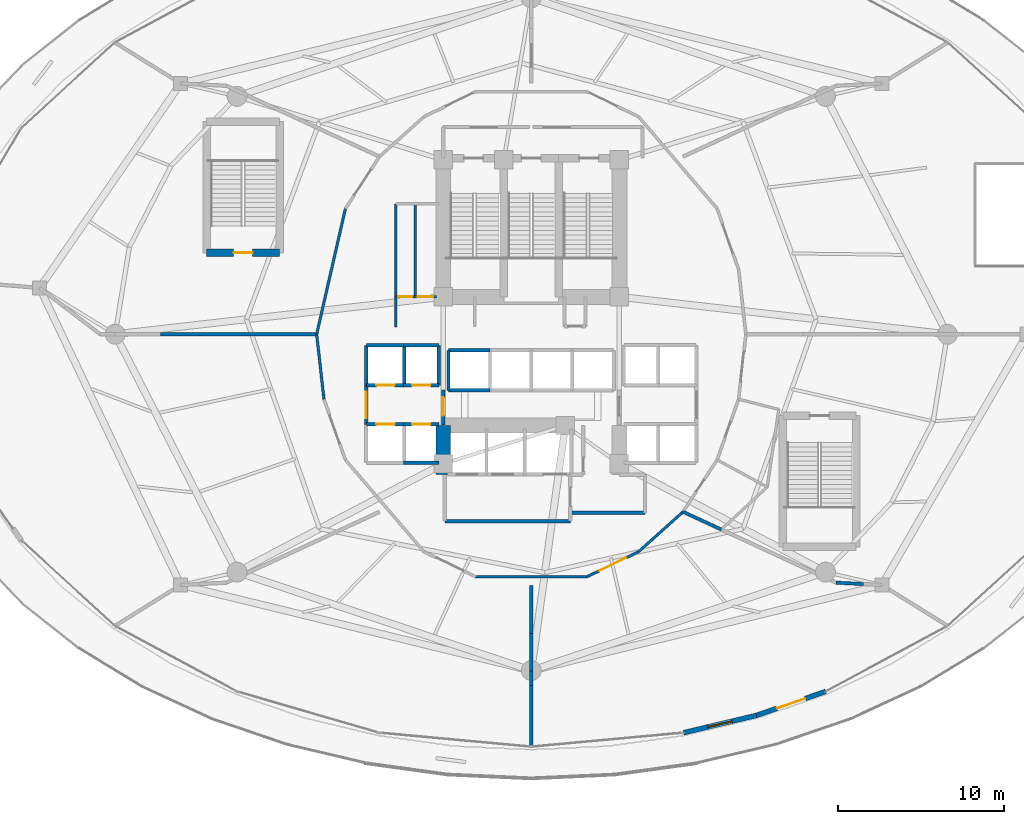
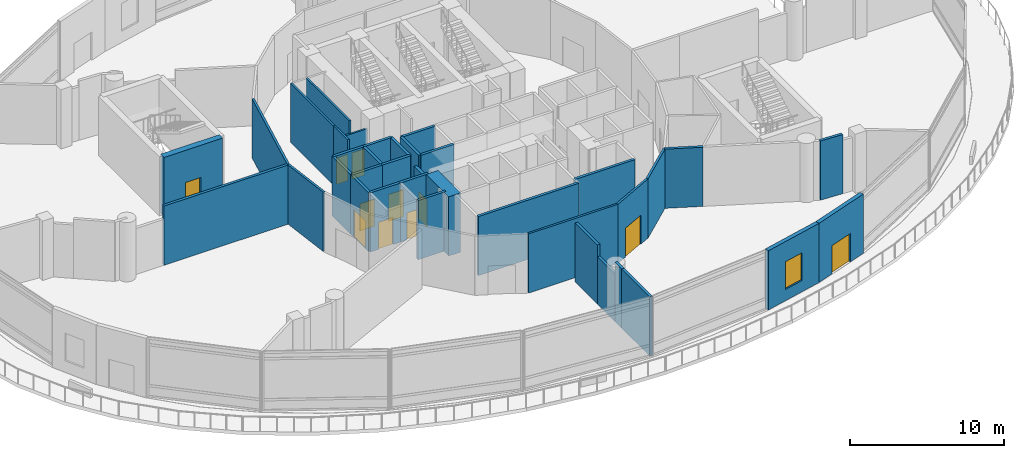
# One storey, part 26 of 36: 37 walls, 11 doors, 1 window, 12 openings.
"""IFC4 building model written with IfcOpenShell, lengths in metres."""

from ifc_helpers import new_model, si_unit, direction, frame, frame_2d, origin, place, context, subcontext, project, spatial, rectangle, extrude, material, layer, layer_set, type_object, element, fill, save


model = new_model("IFC4")

# Units and contexts
model_context = context("Model", 3, precision=1e-05, world=origin(), true_north=direction((0.0, 1.0)))
body_context = subcontext(model_context, "Body", "Model", "MODEL_VIEW")
ifc_project = project(units=[si_unit("LENGTHUNIT", "METRE"), si_unit("AREAUNIT", "SQUARE_METRE"), si_unit("VOLUMEUNIT", "CUBIC_METRE"), si_unit("PLANEANGLEUNIT", "RADIAN"), si_unit("MASSUNIT", "GRAM", prefix="KILO")], contexts=[model_context])

# Site, building, storey
site_placement = place(None, origin())
site = spatial("IfcSite", under=ifc_project, at=site_placement, CompositionType="ELEMENT")
building_placement = place(site_placement, origin())
building = spatial("IfcBuilding", under=site, at=building_placement, Name="Nuhasar Tower", CompositionType="ELEMENT")
storey_placement = place(building_placement, frame((0.0, 0.0, 11.0)))
storey = spatial("IfcBuildingStorey", under=building, at=storey_placement, Name="L02", CompositionType="ELEMENT", Elevation=11.0)

# Wall, opening, window
ifc_material_1 = material(Name="Concrete C45/55", Category="concrete")
ifc_layer_1 = layer(ifc_material_1, 0.239990234375)
ifc_material_2 = material(Name="Limestone Ashlar", Category="masonry")
ifc_layer_2 = layer(ifc_material_2, 0.06005859375)
ifc_layer_set_1 = layer_set([ifc_layer_1, ifc_layer_2], Name="Concrete C45/55")
wall_type_1 = type_object("IfcWallType", Name="WL-ARC-300", PredefinedType="STANDARD", material=ifc_layer_set_1)
wall_1_placement = place(storey_placement, frame((52.56201171875, 3.85107421875, 0.0), z_axis=(0.0, 0.0, 1.0), x_axis=(-0.972796924046, -0.23165954452, 0.0)))
wall_1 = element("IfcWall", 1, at=wall_1_placement, inside=storey, type_object=wall_type_1, Name="L02 Limestone Arcade Spandrel Pier 20-1", PredefinedType="STANDARD", context=body_context, shape_type="SweptSolid", body=[
    extrude(rectangle(XDim=4.51171875, YDim=0.300048828125, at=frame_2d((2.255859375, 0.0))), origin(), (0.0, 0.0, 1.0), 4.699951171875),
])
opening_1_placement = place(wall_1_placement, frame((1.506103515625, 0.0, 0.89990234375)))
opening_1 = element("IfcOpeningElement", 2, at=opening_1_placement, cuts=wall_1, Name="Opening WX-02", PredefinedType="OPENING", context=body_context, shape_type="SweptSolid", body=[
    extrude(rectangle(XDim=1.5, YDim=2.199951171875, at=frame_2d((0.75, 1.10009765625))), frame((0.0, 0.16015625, 0.0), z_axis=(0.0, -1.0, 0.0), x_axis=(1.0, 0.0, 0.0)), (0.0, 0.0, 1.0), 0.320068359375),
])
ifc_material_3 = material(Name="Glass Double Low-E", Category="glass")
window_type = type_object("IfcWindowType", Name="WIN-ARC-1500", PartitioningType="DOUBLE_PANEL_VERTICAL", PredefinedType="WINDOW", material=ifc_material_3)
window_placement = place(opening_1_placement, origin())
window = element("IfcWindow", 3, at=window_placement, inside=storey, type_object=window_type, Name="L02 Arcade Vision Window 20", OverallHeight=2.199951171875, OverallWidth=1.5, PartitioningType="DOUBLE_PANEL_VERTICAL", PredefinedType="WINDOW", context=body_context, shape_type="SweptSolid", body=[
    extrude(rectangle(XDim=1.5, YDim=2.199951171875, at=frame_2d((0.75, 1.10009765625))), frame((0.0, 0.030029296875, 0.0), z_axis=(0.0, -1.0, 0.0), x_axis=(1.0, 0.0, 0.0)), (0.0, 0.0, 1.0), 0.06005859375),
])
fill(opening_1, window)

# Wall, opening, door
wall_2_placement = place(storey_placement, frame((56.719970703125, 5.2880859375, 0.0), z_axis=(0.0, 0.0, 1.0), x_axis=(-0.945146288822, -0.32664735224, 0.0)))
wall_2 = element("IfcWall", 4, at=wall_2_placement, inside=storey, type_object=wall_type_1, Name="L02 Limestone Arcade Spandrel Pier 20-2", PredefinedType="STANDARD", context=body_context, shape_type="SweptSolid", body=[
    extrude(rectangle(XDim=4.399169921875, YDim=0.300048828125, at=frame_2d((2.19970703125, 0.0))), origin(), (0.0, 0.0, 1.0), 4.699951171875),
])
opening_2_placement = place(wall_2_placement, frame((1.300048828125, 0.0, 0.0)))
opening_2 = element("IfcOpeningElement", 5, at=opening_2_placement, cuts=wall_2, Name="Opening DX-02", PredefinedType="OPENING", context=body_context, shape_type="SweptSolid", body=[
    extrude(rectangle(XDim=1.800048828125, YDim=2.25, at=frame_2d((0.89990234375, 1.125))), frame((0.0, 0.16015625, 0.0), z_axis=(0.0, -1.0, 0.0), x_axis=(1.0, 0.0, 0.0)), (0.0, 0.0, 1.0), 0.320068359375),
])
ifc_material_4 = material(Name="Aluminium 6063-T6", Category="aluminium")
door_type_1 = type_object("IfcDoorType", Name="DR-TERR-1800", OperationType="DOUBLE_DOOR_SINGLE_SWING", PredefinedType="DOOR", material=ifc_material_4)
door_1_placement = place(opening_2_placement, origin())
door_1 = element("IfcDoor", 6, at=door_1_placement, inside=storey, type_object=door_type_1, Name="L02 Bustan Terrace Door 20", OperationType="DOUBLE_DOOR_SINGLE_SWING", OverallHeight=2.25, OverallWidth=1.800048828125, PredefinedType="DOOR", context=body_context, shape_type="SweptSolid", body=[
    extrude(rectangle(XDim=1.800048828125, YDim=2.25, at=frame_2d((0.89990234375, 1.125))), frame((0.0, 0.02490234375, 0.0), z_axis=(0.0, -1.0, 0.0), x_axis=(1.0, 0.0, 0.0)), (0.0, 0.0, 1.0), 0.050048828125),
])
fill(opening_2, door_1)

ifc_material_5 = material(Name="Concrete C50/60", Category="concrete")
ifc_layer_3 = layer(ifc_material_5, 0.449951171875)
ifc_layer_set_2 = layer_set([ifc_layer_3], Name="Concrete C50/60")
wall_type_2 = type_object("IfcWallType", Name="WL-CORE-450", PredefinedType="SHEAR", material=ifc_layer_set_2)
wall_3_placement = place(storey_placement, frame((19.449951171875, 31.699951171875, 0.0), z_axis=(0.0, 0.0, 1.0), x_axis=(1.0, 0.0, 0.0)))
wall_3 = element("IfcWall", 7, at=wall_3_placement, inside=storey, type_object=wall_type_2, Name="L02 Stairwell Shear Wall ST-04-S", PredefinedType="SHEAR", context=body_context, shape_type="SweptSolid", body=[
    extrude(rectangle(XDim=4.400146484375, YDim=0.449951171875, at=frame_2d((2.2001953125, 0.0))), origin(), (0.0, 0.0, 1.0), 4.699951171875),
])
opening_3_placement = place(wall_3_placement, frame((1.625, 0.0, 0.0)))
opening_3 = element("IfcOpeningElement", 8, at=opening_3_placement, cuts=wall_3, Name="Opening DS-01", PredefinedType="OPENING", context=body_context, shape_type="SweptSolid", body=[
    extrude(rectangle(XDim=1.14990234375, YDim=2.14990234375, at=frame_2d((0.574951171875, 1.074951171875))), frame((0.0, 0.23486328125, 0.0), z_axis=(0.0, -1.0, 0.0), x_axis=(1.0, 0.0, 0.0)), (0.0, 0.0, 1.0), 0.469970703125),
])
ifc_material_6 = material(Name="Steel S355", Category="steel")
door_type_2 = type_object("IfcDoorType", Name="DR-STAIR-FD120-1150", OperationType="NOTDEFINED", PredefinedType="DOOR", material=ifc_material_6)
door_2_placement = place(opening_3_placement, origin())
door_2 = element("IfcDoor", 9, at=door_2_placement, inside=storey, type_object=door_type_2, Name="L02 Exit Stair ST-04 Door", OperationType="SINGLE_SWING_LEFT", OverallHeight=2.14990234375, OverallWidth=1.14990234375, PredefinedType="DOOR", context=body_context, shape_type="SweptSolid", body=[
    extrude(rectangle(XDim=1.14990234375, YDim=2.14990234375, at=frame_2d((0.574951171875, 1.074951171875))), frame((0.0, 0.02490234375, 0.0), z_axis=(0.0, -1.0, 0.0), x_axis=(1.0, 0.0, 0.0)), (0.0, 0.0, 1.0), 0.050048828125),
])
fill(opening_3, door_2)

# Walls
ifc_material_7 = material(Name="Concrete C80/95", Category="concrete")
ifc_layer_4 = layer(ifc_material_7, 0.89990234375)
ifc_layer_set_3 = layer_set([ifc_layer_4], Name="Concrete C80/95")
wall_type_3 = type_object("IfcWallType", Name="WL-CORE-900", PredefinedType="SHEAR", material=ifc_layer_set_3)
wall_4_placement = place(storey_placement, frame((33.699951171875, 18.35009765625, 0.0), z_axis=(0.0, 0.0, 1.0), x_axis=(0.0, 1.0, 0.0)))
element("IfcWall", 10, at=wall_4_placement, inside=storey, type_object=wall_type_3, Name="L02 Core Shear Wall CW-SW CW-900", PredefinedType="SHEAR", context=body_context, shape_type="SweptSolid", body=[
    extrude(rectangle(XDim=2.949951171875, YDim=0.89990234375, at=frame_2d((1.47509765625, 0.0))), origin(), (0.0, 0.0, 1.0), 4.699951171875),
])
ifc_material_8 = material(Name="Gypsum Board", Category="gypsum")
ifc_layer_5 = layer(ifc_material_8, 0.159912109375)
ifc_layer_set_4 = layer_set([ifc_layer_5], Name="Gypsum Board")
wall_type_4 = type_object("IfcWallType", Name="WL-CORR-160", PredefinedType="PARTITIONING", material=ifc_layer_set_4)
wall_5_placement = place(storey_placement, frame((27.81103515625, 34.360107421875, 0.0), z_axis=(0.0, 0.0, 1.0), x_axis=(-0.223185487206, -0.974775993909, 0.0)))
element("IfcWall", 11, at=wall_5_placement, inside=storey, type_object=wall_type_4, Name="L02 Interior Partition CORR-20", PredefinedType="PARTITIONING", context=body_context, shape_type="SweptSolid", body=[
    extrude(rectangle(XDim=7.755615234375, YDim=0.159912109375, at=frame_2d((3.8779296875, 0.0))), origin(), (0.0, 0.0, 1.0), 4.699951171875),
])
wall_6_placement = place(storey_placement, frame((26.080078125, 26.800048828125, 0.0), z_axis=(0.0, 0.0, 1.0), x_axis=(0.111724363671, -0.99373923469, 0.0)))
element("IfcWall", 12, at=wall_6_placement, inside=storey, type_object=wall_type_4, Name="L02 Interior Partition CORR-24", PredefinedType="PARTITIONING", context=body_context, shape_type="SweptSolid", body=[
    extrude(rectangle(XDim=3.937744140625, YDim=0.159912109375, at=frame_2d((1.96875, 0.0))), origin(), (0.0, 0.0, 1.0), 4.699951171875),
])
wall_7_placement = place(storey_placement, frame((35.656005859375, 12.195068359375, 0.0), z_axis=(0.0, 0.0, 1.0), x_axis=(1.0, 0.0, 0.0)))
element("IfcWall", 13, at=wall_7_placement, inside=storey, type_object=wall_type_4, Name="L02 Interior Partition CORR-34", PredefinedType="PARTITIONING", context=body_context, shape_type="SweptSolid", body=[
    extrude(rectangle(XDim=6.68798828125, YDim=0.159912109375, at=frame_2d((3.343994140625, 0.0))), origin(), (0.0, 0.0, 1.0), 4.699951171875),
])

# Wall, opening, door
wall_8_placement = place(storey_placement, frame((45.4599609375, 13.7060546875, 0.0), z_axis=(0.0, 0.0, 1.0), x_axis=(-0.899789784655, -0.436323668199, 0.0)))
wall_8 = element("IfcWall", 14, at=wall_8_placement, inside=storey, type_object=wall_type_4, Name="L02 Interior Partition CORR-38", PredefinedType="PARTITIONING", context=body_context, shape_type="SweptSolid", body=[
    extrude(rectangle(XDim=3.462890625, YDim=0.159912109375, at=frame_2d((1.7314453125, 0.0))), origin(), (0.0, 0.0, 1.0), 4.699951171875),
])
opening_4_placement = place(wall_8_placement, frame((0.83203125, 0.0, 0.0)))
opening_4 = element("IfcOpeningElement", 15, at=opening_4_placement, cuts=wall_8, Name="Opening DB-02", PredefinedType="OPENING", context=body_context, shape_type="SweptSolid", body=[
    extrude(rectangle(XDim=1.800048828125, YDim=2.300048828125, at=frame_2d((0.89990234375, 1.14990234375))), frame((0.0, 0.08984375, 0.0), z_axis=(0.0, -1.0, 0.0), x_axis=(1.0, 0.0, 0.0)), (0.0, 0.0, 1.0), 0.179931640625),
])
door_type_3 = type_object("IfcDoorType", Name="DR-BALL-FD60-1800", OperationType="DOUBLE_DOOR_SINGLE_SWING", PredefinedType="DOOR", material=ifc_material_4)
door_3_placement = place(opening_4_placement, origin())
door_3 = element("IfcDoor", 16, at=door_3_placement, inside=storey, type_object=door_type_3, Name="L02 Prayer & Reflection Room Door", OperationType="DOUBLE_DOOR_SINGLE_SWING", OverallHeight=2.300048828125, OverallWidth=1.800048828125, PredefinedType="DOOR", context=body_context, shape_type="SweptSolid", body=[
    extrude(rectangle(XDim=1.800048828125, YDim=2.300048828125, at=frame_2d((0.89990234375, 1.14990234375))), frame((0.0, 0.02490234375, 0.0), z_axis=(0.0, -1.0, 0.0), x_axis=(1.0, 0.0, 0.0)), (0.0, 0.0, 1.0), 0.050048828125),
])
fill(opening_4, door_3)

# Wall
wall_9_placement = place(storey_placement, frame((45.4599609375, 13.7060546875, 0.0), z_axis=(0.0, 0.0, 1.0), x_axis=(0.744066617248, 0.668105432621, 0.0)))
element("IfcWall", 17, at=wall_9_placement, inside=storey, type_object=wall_type_4, Name="L02 Interior Partition CORR-40", PredefinedType="PARTITIONING", context=body_context, shape_type="SweptSolid", body=[
    extrude(rectangle(XDim=3.596435546875, YDim=0.159912109375, at=frame_2d((1.79833984375, 0.0))), origin(), (0.0, 0.0, 1.0), 4.699951171875),
])

# Wall, opening, door
ifc_layer_6 = layer(ifc_material_1, 0.199951171875)
ifc_layer_set_5 = layer_set([ifc_layer_6], Name="Concrete C45/55")
wall_type_5 = type_object("IfcWallType", Name="WL-LOBBY-200", PredefinedType="SOLIDWALL", material=ifc_layer_set_5)
wall_10_placement = place(storey_placement, frame((29.070068359375, 21.3798828125, 0.0), z_axis=(0.0, 0.0, 1.0), x_axis=(0.0, 1.0, 0.0)))
wall_10 = element("IfcWall", 18, at=wall_10_placement, inside=storey, type_object=wall_type_5, Name="L02 Interior Partition LLBL-W", PredefinedType="SOLIDWALL", context=body_context, shape_type="SweptSolid", body=[
    extrude(rectangle(XDim=2.340087890625, YDim=0.199951171875, at=frame_2d((1.169921875, 0.0))), origin(), (0.0, 0.0, 1.0), 4.699951171875),
])
opening_5_placement = place(wall_10_placement, frame((0.3701171875, 0.0, 0.0)))
opening_5 = element("IfcOpeningElement", 19, at=opening_5_placement, cuts=wall_10, Name="Opening DC-01", PredefinedType="OPENING", context=body_context, shape_type="SweptSolid", body=[
    extrude(rectangle(XDim=1.60009765625, YDim=2.199951171875, at=frame_2d((0.800048828125, 1.10009765625))), frame((0.0, 0.10986328125, 0.0), z_axis=(0.0, -1.0, 0.0), x_axis=(1.0, 0.0, 0.0)), (0.0, 0.0, 1.0), 0.219970703125),
])
door_type_4 = type_object("IfcDoorType", Name="DR-CORR-FD60-1600", OperationType="DOUBLE_DOOR_SINGLE_SWING", PredefinedType="DOOR", material=ifc_material_6)
door_4_placement = place(opening_5_placement, origin())
door_4 = element("IfcDoor", 20, at=door_4_placement, inside=storey, type_object=door_type_4, Name="L02 Low-Rise Lift Lobby West Entry", OperationType="DOUBLE_DOOR_SINGLE_SWING", OverallHeight=2.199951171875, OverallWidth=1.60009765625, PredefinedType="DOOR", context=body_context, shape_type="SweptSolid", body=[
    extrude(rectangle(XDim=1.60009765625, YDim=2.199951171875, at=frame_2d((0.800048828125, 1.10009765625))), frame((0.0, 0.02490234375, 0.0), z_axis=(0.0, -1.0, 0.0), x_axis=(1.0, 0.0, 0.0)), (0.0, 0.0, 1.0), 0.050048828125),
])
fill(opening_5, door_4)

wall_11_placement = place(storey_placement, frame((33.699951171875, 21.35009765625, 0.0), z_axis=(0.0, 0.0, 1.0), x_axis=(0.0, 1.0, 0.0)))
wall_11 = element("IfcWall", 21, at=wall_11_placement, inside=storey, type_object=wall_type_5, Name="L02 Interior Partition LLBH-W", PredefinedType="SOLIDWALL", context=body_context, shape_type="SweptSolid", body=[
    extrude(rectangle(XDim=2.099853515625, YDim=0.199951171875, at=frame_2d((1.0498046875, 0.0))), origin(), (0.0, 0.0, 1.0), 3.919921875),
])
opening_6_placement = place(wall_11_placement, frame((0.550048828125, 0.0, 0.0)))
opening_6 = element("IfcOpeningElement", 22, at=opening_6_placement, cuts=wall_11, Name="Opening DS-02", PredefinedType="OPENING", context=body_context, shape_type="SweptSolid", body=[
    extrude(rectangle(XDim=1.10009765625, YDim=2.14990234375, at=frame_2d((0.550048828125, 1.074951171875))), frame((0.0, 0.10986328125, 0.0), z_axis=(0.0, -1.0, 0.0), x_axis=(1.0, 0.0, 0.0)), (0.0, 0.0, 1.0), 0.219970703125),
])
door_type_5 = type_object("IfcDoorType", Name="DR-FFL-FD120-1100", OperationType="NOTDEFINED", PredefinedType="DOOR", material=ifc_material_6)
door_5_placement = place(opening_6_placement, origin())
door_5 = element("IfcDoor", 23, at=door_5_placement, inside=storey, type_object=door_type_5, Name="L02 High-Rise Lobby West Door", OperationType="SINGLE_SWING_RIGHT", OverallHeight=2.14990234375, OverallWidth=1.10009765625, PredefinedType="DOOR", context=body_context, shape_type="SweptSolid", body=[
    extrude(rectangle(XDim=1.10009765625, YDim=2.14990234375, at=frame_2d((0.550048828125, 1.074951171875))), frame((0.0, 0.02490234375, 0.0), z_axis=(0.0, -1.0, 0.0), x_axis=(1.0, 0.0, 0.0)), (0.0, 0.0, 1.0), 0.050048828125),
])
fill(opening_6, door_5)

# Walls
wall_12_placement = place(storey_placement, frame((33.800048828125, 15.550048828125, 0.0), z_axis=(0.0, 0.0, 1.0), x_axis=(1.0, 0.0, 0.0)))
element("IfcWall", 24, at=wall_12_placement, inside=storey, type_object=wall_type_5, Name="L02 Interior Partition FFL-S", PredefinedType="SOLIDWALL", context=body_context, shape_type="SweptSolid", body=[
    extrude(rectangle(XDim=7.550048828125, YDim=0.199951171875, at=frame_2d((3.77490234375, 0.0))), origin(), (0.0, 0.0, 1.0), 4.699951171875),
])
wall_13_placement = place(storey_placement, frame((41.35009765625, 16.050048828125, 0.0), z_axis=(0.0, 0.0, 1.0), x_axis=(1.0, 0.0, 0.0)))
element("IfcWall", 25, at=wall_13_placement, inside=storey, type_object=wall_type_5, Name="L02 Interior Partition SVLV-S", PredefinedType="SOLIDWALL", context=body_context, shape_type="SweptSolid", body=[
    extrude(rectangle(XDim=4.5, YDim=0.199951171875, at=frame_2d((2.25, 0.0))), origin(), (0.0, 0.0, 1.0), 4.699951171875),
])
wall_14_placement = place(storey_placement, frame((26.080078125, 26.800048828125, 0.0), z_axis=(0.0, 0.0, 1.0), x_axis=(-1.0, 0.0, 0.0)))
element("IfcWall", 26, at=wall_14_placement, inside=storey, type_object=wall_type_5, Name="L02 Interior Partition PRAD-24-S1", PredefinedType="SOLIDWALL", context=body_context, shape_type="SweptSolid", body=[
    extrude(rectangle(XDim=9.39697265625, YDim=0.199951171875, at=frame_2d((4.698486328125, 0.0))), origin(), (0.0, 0.0, 1.0), 4.699951171875),
])

# Wall, opening, door
ifc_layer_7 = layer(ifc_material_1, 0.199951171875)
ifc_layer_set_6 = layer_set([ifc_layer_7], Name="Concrete C45/55")
wall_type_6 = type_object("IfcWallType", Name="WL-SHAFT-200", PredefinedType="SOLIDWALL", material=ifc_layer_set_6)
wall_15_placement = place(storey_placement, frame((29.070068359375, 23.719970703125, 0.0), z_axis=(0.0, 0.0, 1.0), x_axis=(1.0, 0.0, 0.0)))
wall_15 = element("IfcWall", 27, at=wall_15_placement, inside=storey, type_object=wall_type_6, Name="L02 Interior Partition SHF-PL-L01-S", PredefinedType="SOLIDWALL", context=body_context, shape_type="SweptSolid", body=[
    extrude(rectangle(XDim=2.309814453125, YDim=0.199951171875, at=frame_2d((1.15478515625, 0.0))), origin(), (0.0, 0.0, 1.0), 4.699951171875),
])
opening_7_placement = place(wall_15_placement, frame((0.60498046875, 0.0, 0.0)))
opening_7 = element("IfcOpeningElement", 28, at=opening_7_placement, cuts=wall_15, Name="Opening LD-L01", PredefinedType="OPENING", context=body_context, shape_type="SweptSolid", body=[
    extrude(rectangle(XDim=1.10009765625, YDim=2.14990234375, at=frame_2d((0.550048828125, 1.074951171875))), frame((0.0, 0.10986328125, 0.0), z_axis=(0.0, -1.0, 0.0), x_axis=(1.0, 0.0, 0.0)), (0.0, 0.0, 1.0), 0.219970703125),
])
ifc_material_9 = material(Name="Stainless Steel 316L", Category="steel")
door_type_6 = type_object("IfcDoorType", Name="LD-PAX-1100", OperationType="DOUBLE_DOOR_SLIDING", PredefinedType="DOOR", material=ifc_material_9)
door_6_placement = place(opening_7_placement, origin())
door_6 = element("IfcDoor", 29, at=door_6_placement, inside=storey, type_object=door_type_6, Name="L02 Lift Landing Door PL-L01", OperationType="DOUBLE_DOOR_SLIDING", OverallHeight=2.14990234375, OverallWidth=1.10009765625, PredefinedType="DOOR", context=body_context, shape_type="SweptSolid", body=[
    extrude(rectangle(XDim=1.10009765625, YDim=2.14990234375, at=frame_2d((0.550048828125, 1.074951171875))), frame((0.0, 0.02490234375, 0.0), z_axis=(0.0, -1.0, 0.0), x_axis=(1.0, 0.0, 0.0)), (0.0, 0.0, 1.0), 0.050048828125),
])
fill(opening_7, door_6)

# Walls
wall_16_placement = place(storey_placement, frame((29.070068359375, 26.1298828125, 0.0), z_axis=(0.0, 0.0, 1.0), x_axis=(1.0, 0.0, 0.0)))
element("IfcWall", 30, at=wall_16_placement, inside=storey, type_object=wall_type_6, Name="L02 Interior Partition SHF-PL-L01-N", PredefinedType="SOLIDWALL", context=body_context, shape_type="SweptSolid", body=[
    extrude(rectangle(XDim=2.309814453125, YDim=0.199951171875, at=frame_2d((1.15478515625, 0.0))), origin(), (0.0, 0.0, 1.0), 4.699951171875),
])
for number, where, z_axis, x_axis, name in (
    (31, (29.070068359375, 23.719970703125, 0.0), (0.0, 0.0, 1.0), (0.0, 1.0, 0.0), "L02 Interior Partition SHF-PL-L01-W"),
    (32, (31.35009765625, 23.719970703125, 0.0), (0.0, 0.0, 1.0), (0.0, 1.0, 0.0), "L02 Interior Partition SHF-PL-L01-E"),
):
    element("IfcWall", number, at=place(storey_placement, frame(where, z_axis=z_axis, x_axis=x_axis)), inside=storey, type_object=wall_type_6, Name=name, PredefinedType="SOLIDWALL", context=body_context, shape_type="SweptSolid", body=[
        extrude(rectangle(XDim=2.409912109375, YDim=0.199951171875, at=frame_2d((1.205078125, 0.0))), origin(), (0.0, 0.0, 1.0), 4.699951171875),
    ])

# Wall, opening, door
wall_17_placement = place(storey_placement, frame((31.320068359375, 23.719970703125, 0.0), z_axis=(0.0, 0.0, 1.0), x_axis=(1.0, 0.0, 0.0)))
wall_17 = element("IfcWall", 33, at=wall_17_placement, inside=storey, type_object=wall_type_6, Name="L02 Interior Partition SHF-PL-L02-S", PredefinedType="SOLIDWALL", context=body_context, shape_type="SweptSolid", body=[
    extrude(rectangle(XDim=2.10986328125, YDim=0.199951171875, at=frame_2d((1.054931640625, 0.0))), origin(), (0.0, 0.0, 1.0), 4.699951171875),
])
opening_8_placement = place(wall_17_placement, frame((0.5048828125, 0.0, 0.0)))
opening_8 = element("IfcOpeningElement", 34, at=opening_8_placement, cuts=wall_17, Name="Opening LD-L02", PredefinedType="OPENING", context=body_context, shape_type="SweptSolid", body=[
    extrude(rectangle(XDim=1.10009765625, YDim=2.14990234375, at=frame_2d((0.550048828125, 1.074951171875))), frame((0.0, 0.10986328125, 0.0), z_axis=(0.0, -1.0, 0.0), x_axis=(1.0, 0.0, 0.0)), (0.0, 0.0, 1.0), 0.219970703125),
])
door_7_placement = place(opening_8_placement, origin())
door_7 = element("IfcDoor", 35, at=door_7_placement, inside=storey, type_object=door_type_6, Name="L02 Lift Landing Door PL-L02", OperationType="DOUBLE_DOOR_SLIDING", OverallHeight=2.14990234375, OverallWidth=1.10009765625, PredefinedType="DOOR", context=body_context, shape_type="SweptSolid", body=[
    extrude(rectangle(XDim=1.10009765625, YDim=2.14990234375, at=frame_2d((0.550048828125, 1.074951171875))), frame((0.0, 0.02490234375, 0.0), z_axis=(0.0, -1.0, 0.0), x_axis=(1.0, 0.0, 0.0)), (0.0, 0.0, 1.0), 0.050048828125),
])
fill(opening_8, door_7)

# Walls
wall_18_placement = place(storey_placement, frame((31.320068359375, 26.1298828125, 0.0), z_axis=(0.0, 0.0, 1.0), x_axis=(1.0, 0.0, 0.0)))
element("IfcWall", 36, at=wall_18_placement, inside=storey, type_object=wall_type_6, Name="L02 Interior Partition SHF-PL-L02-N", PredefinedType="SOLIDWALL", context=body_context, shape_type="SweptSolid", body=[
    extrude(rectangle(XDim=2.10986328125, YDim=0.199951171875, at=frame_2d((1.054931640625, 0.0))), origin(), (0.0, 0.0, 1.0), 4.699951171875),
])
wall_19_placement = place(storey_placement, frame((33.429931640625, 23.719970703125, 0.0), z_axis=(0.0, 0.0, 1.0), x_axis=(0.0, 1.0, 0.0)))
element("IfcWall", 37, at=wall_19_placement, inside=storey, type_object=wall_type_6, Name="L02 Interior Partition SHF-PL-L02-E", PredefinedType="SOLIDWALL", context=body_context, shape_type="SweptSolid", body=[
    extrude(rectangle(XDim=2.409912109375, YDim=0.199951171875, at=frame_2d((1.205078125, 0.0))), origin(), (0.0, 0.0, 1.0), 4.699951171875),
])

# Wall, opening, door
wall_20_placement = place(storey_placement, frame((29.070068359375, 21.3798828125, 0.0), z_axis=(0.0, 0.0, 1.0), x_axis=(1.0, 0.0, 0.0)))
wall_20 = element("IfcWall", 38, at=wall_20_placement, inside=storey, type_object=wall_type_6, Name="L02 Interior Partition SHF-PL-L03-N", PredefinedType="SOLIDWALL", context=body_context, shape_type="SweptSolid", body=[
    extrude(rectangle(XDim=2.309814453125, YDim=0.199951171875, at=frame_2d((1.15478515625, 0.0))), origin(), (0.0, 0.0, 1.0), 4.699951171875),
])
opening_9_placement = place(wall_20_placement, frame((0.60498046875, 0.0, 0.0)))
opening_9 = element("IfcOpeningElement", 39, at=opening_9_placement, cuts=wall_20, Name="Opening LD-L03", PredefinedType="OPENING", context=body_context, shape_type="SweptSolid", body=[
    extrude(rectangle(XDim=1.10009765625, YDim=2.14990234375, at=frame_2d((0.550048828125, 1.074951171875))), frame((0.0, 0.10986328125, 0.0), z_axis=(0.0, -1.0, 0.0), x_axis=(1.0, 0.0, 0.0)), (0.0, 0.0, 1.0), 0.219970703125),
])
door_8_placement = place(opening_9_placement, origin())
door_8 = element("IfcDoor", 40, at=door_8_placement, inside=storey, type_object=door_type_6, Name="L02 Lift Landing Door PL-L03", OperationType="DOUBLE_DOOR_SLIDING", OverallHeight=2.14990234375, OverallWidth=1.10009765625, PredefinedType="DOOR", context=body_context, shape_type="SweptSolid", body=[
    extrude(rectangle(XDim=1.10009765625, YDim=2.14990234375, at=frame_2d((0.550048828125, 1.074951171875))), frame((0.0, 0.02490234375, 0.0), z_axis=(0.0, -1.0, 0.0), x_axis=(1.0, 0.0, 0.0)), (0.0, 0.0, 1.0), 0.050048828125),
])
fill(opening_9, door_8)

# Wall
wall_21_placement = place(storey_placement, frame((31.320068359375, 19.070068359375, 0.0), z_axis=(0.0, 0.0, 1.0), x_axis=(1.0, 0.0, 0.0)))
element("IfcWall", 41, at=wall_21_placement, inside=storey, type_object=wall_type_6, Name="L02 Interior Partition SHF-PL-L04-S", PredefinedType="SOLIDWALL", context=body_context, shape_type="SweptSolid", body=[
    extrude(rectangle(XDim=2.10986328125, YDim=0.199951171875, at=frame_2d((1.054931640625, 0.0))), origin(), (0.0, 0.0, 1.0), 4.699951171875),
])

# Wall, opening, door
wall_22_placement = place(storey_placement, frame((31.320068359375, 21.3798828125, 0.0), z_axis=(0.0, 0.0, 1.0), x_axis=(1.0, 0.0, 0.0)))
wall_22 = element("IfcWall", 42, at=wall_22_placement, inside=storey, type_object=wall_type_6, Name="L02 Interior Partition SHF-PL-L04-N", PredefinedType="SOLIDWALL", context=body_context, shape_type="SweptSolid", body=[
    extrude(rectangle(XDim=2.10986328125, YDim=0.199951171875, at=frame_2d((1.054931640625, 0.0))), origin(), (0.0, 0.0, 1.0), 4.699951171875),
])
opening_10_placement = place(wall_22_placement, frame((0.5048828125, 0.0, 0.0)))
opening_10 = element("IfcOpeningElement", 43, at=opening_10_placement, cuts=wall_22, Name="Opening LD-L04", PredefinedType="OPENING", context=body_context, shape_type="SweptSolid", body=[
    extrude(rectangle(XDim=1.10009765625, YDim=2.14990234375, at=frame_2d((0.550048828125, 1.074951171875))), frame((0.0, 0.10986328125, 0.0), z_axis=(0.0, -1.0, 0.0), x_axis=(1.0, 0.0, 0.0)), (0.0, 0.0, 1.0), 0.219970703125),
])
door_9_placement = place(opening_10_placement, origin())
door_9 = element("IfcDoor", 44, at=door_9_placement, inside=storey, type_object=door_type_6, Name="L02 Lift Landing Door PL-L04", OperationType="DOUBLE_DOOR_SLIDING", OverallHeight=2.14990234375, OverallWidth=1.10009765625, PredefinedType="DOOR", context=body_context, shape_type="SweptSolid", body=[
    extrude(rectangle(XDim=1.10009765625, YDim=2.14990234375, at=frame_2d((0.550048828125, 1.074951171875))), frame((0.0, 0.02490234375, 0.0), z_axis=(0.0, -1.0, 0.0), x_axis=(1.0, 0.0, 0.0)), (0.0, 0.0, 1.0), 0.050048828125),
])
fill(opening_10, door_9)

# Walls
for number, where, z_axis, x_axis, name in (
    (45, (34.02001953125, 23.419921875, 0.0), (0.0, 0.0, 1.0), (1.0, 0.0, 0.0), "L02 Interior Partition SHF-PL-H01-S"),
    (46, (34.02001953125, 25.830078125, 0.0), (0.0, 0.0, 1.0), (1.0, 0.0, 0.0), "L02 Interior Partition SHF-PL-H01-N"),
):
    element("IfcWall", number, at=place(storey_placement, frame(where, z_axis=z_axis, x_axis=x_axis)), inside=storey, type_object=wall_type_6, Name=name, PredefinedType="SOLIDWALL", context=body_context, shape_type="SweptSolid", body=[
        extrude(rectangle(XDim=2.5, YDim=0.199951171875, at=frame_2d((1.25, 0.0))), origin(), (0.0, 0.0, 1.0), 4.699951171875),
    ])
wall_23_placement = place(storey_placement, frame((34.02001953125, 23.419921875, 0.0), z_axis=(0.0, 0.0, 1.0), x_axis=(0.0, 1.0, 0.0)))
element("IfcWall", 47, at=wall_23_placement, inside=storey, type_object=wall_type_6, Name="L02 Interior Partition SHF-PL-H01-W", PredefinedType="SOLIDWALL", context=body_context, shape_type="SweptSolid", body=[
    extrude(rectangle(XDim=2.41015625, YDim=0.199951171875, at=frame_2d((1.205078125, 0.0))), origin(), (0.0, 0.0, 1.0), 4.699951171875),
])
ifc_material_10 = material(Name="Concrete C40/50 precast", Category="concrete")
ifc_layer_8 = layer(ifc_material_10, 0.199951171875)
ifc_layer_set_7 = layer_set([ifc_layer_8], Name="Concrete C40/50 precast")
wall_type_7 = type_object("IfcWallType", Name="WL-UNIT-200", PredefinedType="PARTITIONING", material=ifc_layer_set_7)
wall_24_placement = place(storey_placement, frame((39.0, 11.679931640625, 0.0), z_axis=(0.0, 0.0, 1.0), x_axis=(0.0, -1.0, 0.0)))
element("IfcWall", 48, at=wall_24_placement, inside=storey, type_object=wall_type_7, Name="L02 Interior Partition PRAD-36-S1", PredefinedType="PARTITIONING", context=body_context, shape_type="SweptSolid", body=[
    extrude(rectangle(XDim=2.885009765625, YDim=0.199951171875, at=frame_2d((1.4423828125, 0.0))), origin(), (0.0, 0.0, 1.0), 4.699951171875),
])
wall_25_placement = place(storey_placement, frame((39.0, 8.794921875, 0.0), z_axis=(0.0, 0.0, 1.0), x_axis=(0.0, -1.0, 0.0)))
element("IfcWall", 49, at=wall_25_placement, inside=storey, type_object=wall_type_7, Name="L02 Interior Partition PRAD-36-S1", PredefinedType="PARTITIONING", context=body_context, shape_type="SweptSolid", body=[
    extrude(rectangle(XDim=2.259033203125, YDim=0.199951171875, at=frame_2d((1.12939453125, 0.0))), origin(), (0.0, 0.0, 1.0), 3.764892578125),
])
wall_26_placement = place(storey_placement, frame((39.0, 6.535888671875, 0.0), z_axis=(0.0, 0.0, 1.0), x_axis=(0.0, -1.0, 0.0)))
element("IfcWall", 50, at=wall_26_placement, inside=storey, type_object=wall_type_7, Name="L02 Interior Partition PRAD-36-S1", PredefinedType="PARTITIONING", context=body_context, shape_type="SweptSolid", body=[
    extrude(rectangle(XDim=0.885986328125, YDim=0.199951171875, at=frame_2d((0.44287109375, 0.0))), origin(), (0.0, 0.0, 1.0), 4.699951171875),
])
wall_27_placement = place(storey_placement, frame((39.0, 5.64990234375, 0.0), z_axis=(0.0, 0.0, 1.0), x_axis=(0.0, -1.0, 0.0)))
element("IfcWall", 51, at=wall_27_placement, inside=storey, type_object=wall_type_7, Name="L02 Interior Partition PRAD-36-S2", PredefinedType="PARTITIONING", context=body_context, shape_type="SweptSolid", body=[
    extrude(rectangle(XDim=3.65478515625, YDim=0.199951171875, at=frame_2d((1.827392578125, 0.0))), origin(), (0.0, 0.0, 1.0), 4.699951171875),
])
wall_28_placement = place(storey_placement, frame((48.135986328125, 16.10888671875, 0.0), z_axis=(0.0, 0.0, 1.0), x_axis=(0.907508335547, -0.420034071133, 0.0)))
element("IfcWall", 52, at=wall_28_placement, inside=storey, type_object=wall_type_7, Name="L02 Interior Partition PRAD-42-S1", PredefinedType="PARTITIONING", context=body_context, shape_type="SweptSolid", body=[
    extrude(rectangle(XDim=2.53759765625, YDim=0.199951171875, at=frame_2d((1.268798828125, 0.0))), origin(), (0.0, 0.0, 1.0), 4.699951171875),
])
wall_29_placement = place(storey_placement, frame((57.34912109375, 11.844970703125, 0.0), z_axis=(0.0, 0.0, 1.0), x_axis=(0.998692725363, -0.051115949639, 0.0)))
element("IfcWall", 53, at=wall_29_placement, inside=storey, type_object=wall_type_7, Name="L02 Interior Partition PRAD-42-S3", PredefinedType="PARTITIONING", context=body_context, shape_type="SweptSolid", body=[
    extrude(rectangle(XDim=1.64306640625, YDim=0.199951171875, at=frame_2d((0.821533203125, 0.0))), origin(), (0.0, 0.0, 1.0), 4.699951171875),
])
ifc_layer_9 = layer(ifc_material_10, 0.139892578125)
ifc_layer_set_8 = layer_set([ifc_layer_9], Name="Concrete C40/50 precast")
wall_type_8 = type_object("IfcWallType", Name="WL-WET-140", PredefinedType="PARTITIONING", material=ifc_layer_set_8)
wall_30_placement = place(storey_placement, frame((30.85009765625, 27.239990234375, 0.0), z_axis=(0.0, 0.0, 1.0), x_axis=(0.0, 1.0, 0.0)))
element("IfcWall", 54, at=wall_30_placement, inside=storey, type_object=wall_type_8, Name="L02 Interior Partition K2-FOY-W", PredefinedType="PARTITIONING", context=body_context, shape_type="SweptSolid", body=[
    extrude(rectangle(XDim=1.81005859375, YDim=0.139892578125, at=frame_2d((0.905029296875, 0.0))), origin(), (0.0, 0.0, 1.0), 4.699951171875),
])

# Wall, openings, doors
wall_31_placement = place(storey_placement, frame((30.85009765625, 29.050048828125, 0.0), z_axis=(0.0, 0.0, 1.0), x_axis=(1.0, 0.0, 0.0)))
wall_31 = element("IfcWall", 55, at=wall_31_placement, inside=storey, type_object=wall_type_8, Name="L02 Interior Partition K2-NW-S", PredefinedType="PARTITIONING", context=body_context, shape_type="SweptSolid", body=[
    extrude(rectangle(XDim=2.429931640625, YDim=0.139892578125, at=frame_2d((1.21484375, 0.0))), origin(), (0.0, 0.0, 1.0), 3.659912109375),
])
opening_11_placement = place(wall_31_placement, frame((0.139892578125, 0.0, 0.0)))
opening_11 = element("IfcOpeningElement", 56, at=opening_11_placement, cuts=wall_31, Name="Opening DB-01", PredefinedType="OPENING", context=body_context, shape_type="SweptSolid", body=[
    extrude(rectangle(XDim=0.85009765625, YDim=2.10009765625, at=frame_2d((0.425048828125, 1.050048828125))), frame((0.0, 0.080078125, 0.0), z_axis=(0.0, -1.0, 0.0), x_axis=(1.0, 0.0, 0.0)), (0.0, 0.0, 1.0), 0.159912109375),
])
opening_12_placement = place(wall_31_placement, frame((1.300048828125, 0.0, 0.0)))
opening_12 = element("IfcOpeningElement", 57, at=opening_12_placement, cuts=wall_31, Name="Opening DA-01", PredefinedType="OPENING", context=body_context, shape_type="SweptSolid", body=[
    extrude(rectangle(XDim=0.949951171875, YDim=2.10009765625, at=frame_2d((0.47509765625, 1.050048828125))), frame((0.0, 0.080078125, 0.0), z_axis=(0.0, -1.0, 0.0), x_axis=(1.0, 0.0, 0.0)), (0.0, 0.0, 1.0), 0.159912109375),
])
ifc_material_11 = material(Name="Timber Oak", Category="wood")
door_type_7 = type_object("IfcDoorType", Name="DR-ACCWC-950", OperationType="NOTDEFINED", PredefinedType="DOOR", material=ifc_material_11)
door_10_placement = place(opening_12_placement, origin())
door_10 = element("IfcDoor", 58, at=door_10_placement, inside=storey, type_object=door_type_7, Name="L02 NW Accessible WC Door", OperationType="SINGLE_SWING_RIGHT", OverallHeight=2.10009765625, OverallWidth=0.949951171875, PredefinedType="DOOR", context=body_context, shape_type="SweptSolid", body=[
    extrude(rectangle(XDim=0.949951171875, YDim=2.10009765625, at=frame_2d((0.47509765625, 1.050048828125))), frame((0.0, 0.02490234375, 0.0), z_axis=(0.0, -1.0, 0.0), x_axis=(1.0, 0.0, 0.0)), (0.0, 0.0, 1.0), 0.050048828125),
])
fill(opening_12, door_10)
door_type_8 = type_object("IfcDoorType", Name="DR-BATH-850", OperationType="NOTDEFINED", PredefinedType="DOOR", material=ifc_material_11)
door_11_placement = place(opening_11_placement, origin())
door_11 = element("IfcDoor", 59, at=door_11_placement, inside=storey, type_object=door_type_8, Name="L02 NW Female WC Door", OperationType="SINGLE_SWING_LEFT", OverallHeight=2.10009765625, OverallWidth=0.85009765625, PredefinedType="DOOR", context=body_context, shape_type="SweptSolid", body=[
    extrude(rectangle(XDim=0.85009765625, YDim=2.10009765625, at=frame_2d((0.425048828125, 1.050048828125))), frame((0.0, 0.02490234375, 0.0), z_axis=(0.0, -1.0, 0.0), x_axis=(1.0, 0.0, 0.0)), (0.0, 0.0, 1.0), 0.050048828125),
])
fill(opening_11, door_11)

# Walls
for number, where, z_axis, x_axis, name in (
    (60, (32.02001953125, 29.050048828125, 0.0), (0.0, 0.0, 1.0), (0.0, 1.0, 0.0), "L02 Interior Partition K2-NW-V"),
    (61, (30.85009765625, 29.050048828125, 0.0), (0.0, 0.0, 1.0), (0.0, 1.0, 0.0), "L02 Interior Partition K2-NW-W"),
):
    element("IfcWall", number, at=place(storey_placement, frame(where, z_axis=z_axis, x_axis=x_axis)), inside=storey, type_object=wall_type_8, Name=name, PredefinedType="PARTITIONING", context=body_context, shape_type="SweptSolid", body=[
        extrude(rectangle(XDim=5.599853515625, YDim=0.139892578125, at=frame_2d((2.7998046875, 0.0))), origin(), (0.0, 0.0, 1.0), 4.699951171875),
    ])

save(model, "model.ifc")
